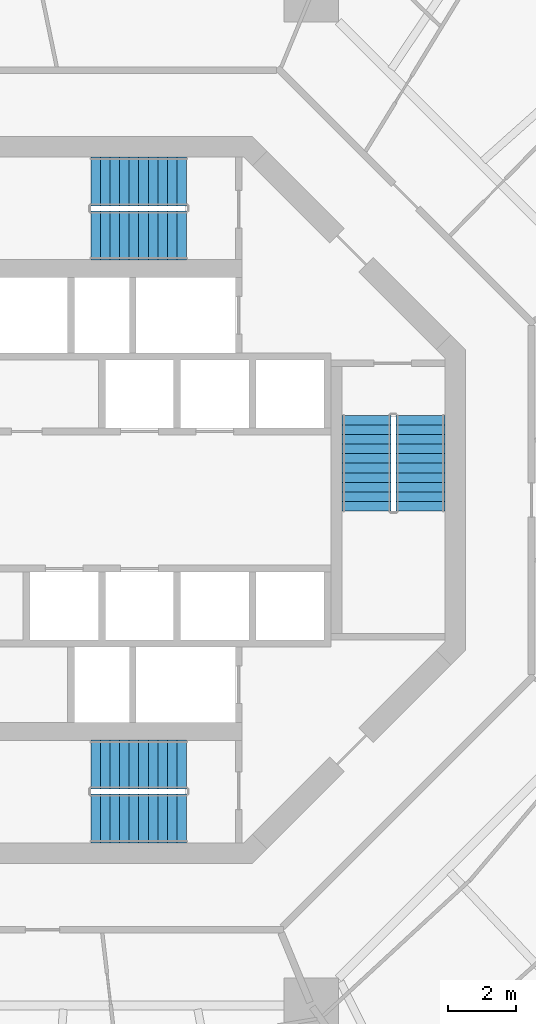
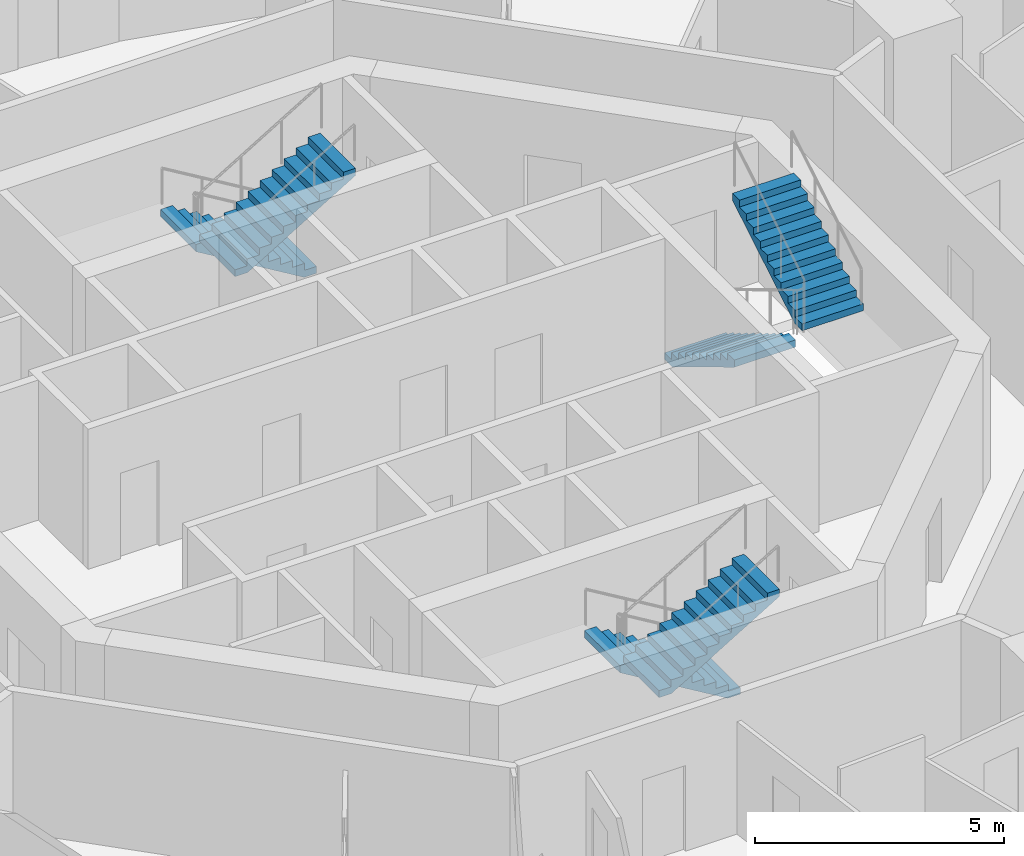
# One storey, part 15 of 18: 6 stair flights, 3 elements without a shape of their own.
"""IFC4 building model written with IfcOpenShell, lengths in metres."""

from ifc_helpers import new_model, si_unit, direction, frame, origin, place, context, subcontext, project, spatial, polyline, outline, extrude, material, type_object, element, aggregate, save


model = new_model("IFC4")

# Units and contexts
model_context = context("Model", 3, precision=1e-05, world=origin(), true_north=direction((0.0, 1.0)))
body_context = subcontext(model_context, "Body", "Model", "MODEL_VIEW")
ifc_project = project(units=[si_unit("LENGTHUNIT", "METRE"), si_unit("AREAUNIT", "SQUARE_METRE"), si_unit("VOLUMEUNIT", "CUBIC_METRE"), si_unit("PLANEANGLEUNIT", "RADIAN"), si_unit("MASSUNIT", "GRAM", prefix="KILO")], contexts=[model_context])

# Site, building, storey
site_placement = place(None, origin())
site = spatial("IfcSite", under=ifc_project, at=site_placement, CompositionType="ELEMENT")
building_placement = place(site_placement, origin())
building = spatial("IfcBuilding", under=site, at=building_placement, Name="Nagisa Residences", CompositionType="ELEMENT")
storey_placement = place(building_placement, frame((0.0, 0.0, 245.5)))
storey = spatial("IfcBuildingStorey", under=building, at=storey_placement, Name="L62", CompositionType="ELEMENT", Elevation=245.5)

# Stair, stair flights
ifc_material_1 = material(Name="Concrete C60", Category="concrete")
stair_type = type_object("IfcStairType", Name="Exit stair", PredefinedType="HALF_TURN_STAIR", material=ifc_material_1)
stair_1_placement = place(storey_placement, origin())
stair_1 = element("IfcStair", 1, at=stair_1_placement, inside=storey, type_object=stair_type, Name="L62 Exit stair E", PredefinedType="HALF_TURN_STAIR")
ifc_material_2 = material(Name="Concrete C60", Category="concrete")
stair_flight_type = type_object("IfcStairFlightType", Name="Exit stair flight", PredefinedType="STRAIGHT", material=ifc_material_2)
stair_flight_1_placement = place(storey_placement, frame((7.737060546875, 2.47509765625, 0.0), z_axis=(0.0, 0.0, 1.0), x_axis=(0.0, -1.0, 0.0)))
stair_flight_1 = element("IfcStairFlight", 2, at=stair_flight_1_placement, type_object=stair_flight_type, Name="ST-E flight 1", NumberOfRisers=11, NumberOfTreads=10, PredefinedType="STRAIGHT", RiserHeight=0.168181818, TreadLength=0.28, context=body_context, shape_type="SweptSolid", body=[
    extrude(outline(polyline([(0.0, 0.0), (0.0, 0.168212890625), (0.280029296875, 0.168212890625), (0.280029296875, 0.33642578125), (0.56005859375, 0.33642578125), (0.56005859375, 0.504638671875), (0.840087890625, 0.504638671875), (0.840087890625, 0.672607421875), (1.1201171875, 0.672607421875), (1.1201171875, 0.8408203125), (1.39990234375, 0.8408203125), (1.39990234375, 1.009033203125), (1.679931640625, 1.009033203125), (1.679931640625, 1.17724609375), (1.9599609375, 1.17724609375), (1.9599609375, 1.345458984375), (2.239990234375, 1.345458984375), (2.239990234375, 1.513671875), (2.52001953125, 1.513671875), (2.52001953125, 1.681884765625), (2.800048828125, 1.681884765625), (2.800048828125, 1.85009765625), (2.800048828125, 1.5068359375), (0.291015625, 0.0), (0.0, 0.0)])), frame((0.0, 0.71240234375, 0.0), z_axis=(0.0, -1.0, 0.0), x_axis=(1.0, 0.0, 0.0)), (0.0, 0.0, 1.0), 1.425048828125),
])
stair_flight_2_placement = place(storey_placement, frame((9.31201171875, -0.324951171875, 1.85009765625), z_axis=(0.0, 0.0, 1.0), x_axis=(0.0, 1.0, 0.0)))
stair_flight_2 = element("IfcStairFlight", 3, at=stair_flight_2_placement, type_object=stair_flight_type, Name="ST-E flight 2", NumberOfRisers=11, NumberOfTreads=10, PredefinedType="STRAIGHT", RiserHeight=0.168181818, TreadLength=0.28, context=body_context, shape_type="SweptSolid", body=[
    extrude(outline(polyline([(0.0, 0.0), (0.0, 0.168212890625), (0.280029296875, 0.168212890625), (0.280029296875, 0.33642578125), (0.56005859375, 0.33642578125), (0.56005859375, 0.504638671875), (0.840087890625, 0.504638671875), (0.840087890625, 0.672607421875), (1.1201171875, 0.672607421875), (1.1201171875, 0.8408203125), (1.39990234375, 0.8408203125), (1.39990234375, 1.009033203125), (1.679931640625, 1.009033203125), (1.679931640625, 1.17724609375), (1.9599609375, 1.17724609375), (1.9599609375, 1.345458984375), (2.239990234375, 1.345458984375), (2.239990234375, 1.513671875), (2.52001953125, 1.513671875), (2.52001953125, 1.681884765625), (2.800048828125, 1.681884765625), (2.800048828125, 1.85009765625), (2.800048828125, 1.5068359375), (0.291015625, 0.0), (0.0, 0.0)])), frame((0.0, 0.71240234375, 0.0), z_axis=(0.0, -1.0, 0.0), x_axis=(1.0, 0.0, 0.0)), (0.0, 0.0, 1.0), 1.425048828125),
])
aggregate(stair_1, [stair_flight_1, stair_flight_2])

stair_2_placement = place(storey_placement, origin())
stair_2 = element("IfcStair", 4, at=stair_2_placement, inside=storey, type_object=stair_type, Name="L62 Exit stair N", PredefinedType="HALF_TURN_STAIR")
stair_flight_3_placement = place(storey_placement, frame((2.47509765625, 9.31201171875, 0.0), z_axis=(0.0, 0.0, 1.0), x_axis=(-1.0, 0.0, 0.0)))
stair_flight_3 = element("IfcStairFlight", 5, at=stair_flight_3_placement, type_object=stair_flight_type, Name="ST-N flight 1", NumberOfRisers=11, NumberOfTreads=10, PredefinedType="STRAIGHT", RiserHeight=0.168181818, TreadLength=0.28, context=body_context, shape_type="SweptSolid", body=[
    extrude(outline(polyline([(0.0, 0.0), (0.0, 0.168212890625), (0.280029296875, 0.168212890625), (0.280029296875, 0.33642578125), (0.56005859375, 0.33642578125), (0.56005859375, 0.504638671875), (0.840087890625, 0.504638671875), (0.840087890625, 0.672607421875), (1.1201171875, 0.672607421875), (1.1201171875, 0.8408203125), (1.39990234375, 0.8408203125), (1.39990234375, 1.009033203125), (1.679931640625, 1.009033203125), (1.679931640625, 1.17724609375), (1.9599609375, 1.17724609375), (1.9599609375, 1.345458984375), (2.239990234375, 1.345458984375), (2.239990234375, 1.513671875), (2.52001953125, 1.513671875), (2.52001953125, 1.681884765625), (2.800048828125, 1.681884765625), (2.800048828125, 1.85009765625), (2.800048828125, 1.5068359375), (0.291015625, 0.0), (0.0, 0.0)])), frame((0.0, 0.71240234375, 0.0), z_axis=(0.0, -1.0, 0.0), x_axis=(1.0, 0.0, 0.0)), (0.0, 0.0, 1.0), 1.425048828125),
])
stair_flight_4_placement = place(storey_placement, frame((-0.324951171875, 7.737060546875, 1.85009765625), z_axis=(0.0, 0.0, 1.0), x_axis=(1.0, 0.0, 0.0)))
stair_flight_4 = element("IfcStairFlight", 6, at=stair_flight_4_placement, type_object=stair_flight_type, Name="ST-N flight 2", NumberOfRisers=11, NumberOfTreads=10, PredefinedType="STRAIGHT", RiserHeight=0.168181818, TreadLength=0.28, context=body_context, shape_type="SweptSolid", body=[
    extrude(outline(polyline([(0.0, 0.0), (0.0, 0.168212890625), (0.280029296875, 0.168212890625), (0.280029296875, 0.33642578125), (0.56005859375, 0.33642578125), (0.56005859375, 0.504638671875), (0.840087890625, 0.504638671875), (0.840087890625, 0.672607421875), (1.1201171875, 0.672607421875), (1.1201171875, 0.8408203125), (1.39990234375, 0.8408203125), (1.39990234375, 1.009033203125), (1.679931640625, 1.009033203125), (1.679931640625, 1.17724609375), (1.9599609375, 1.17724609375), (1.9599609375, 1.345458984375), (2.239990234375, 1.345458984375), (2.239990234375, 1.513671875), (2.52001953125, 1.513671875), (2.52001953125, 1.681884765625), (2.800048828125, 1.681884765625), (2.800048828125, 1.85009765625), (2.800048828125, 1.5068359375), (0.291015625, 0.0), (0.0, 0.0)])), frame((0.0, 0.71240234375, 0.0), z_axis=(0.0, -1.0, 0.0), x_axis=(1.0, 0.0, 0.0)), (0.0, 0.0, 1.0), 1.425048828125),
])
aggregate(stair_2, [stair_flight_3, stair_flight_4])

stair_3_placement = place(storey_placement, origin())
stair_3 = element("IfcStair", 7, at=stair_3_placement, inside=storey, type_object=stair_type, Name="L62 Exit stair S", PredefinedType="HALF_TURN_STAIR")
stair_flight_5_placement = place(storey_placement, frame((2.47509765625, -7.737060546875, 0.0), z_axis=(0.0, 0.0, 1.0), x_axis=(-1.0, 0.0, 0.0)))
stair_flight_5 = element("IfcStairFlight", 8, at=stair_flight_5_placement, type_object=stair_flight_type, Name="ST-S flight 1", NumberOfRisers=11, NumberOfTreads=10, PredefinedType="STRAIGHT", RiserHeight=0.168181818, TreadLength=0.28, context=body_context, shape_type="SweptSolid", body=[
    extrude(outline(polyline([(0.0, 0.0), (0.0, 0.168212890625), (0.280029296875, 0.168212890625), (0.280029296875, 0.33642578125), (0.56005859375, 0.33642578125), (0.56005859375, 0.504638671875), (0.840087890625, 0.504638671875), (0.840087890625, 0.672607421875), (1.1201171875, 0.672607421875), (1.1201171875, 0.8408203125), (1.39990234375, 0.8408203125), (1.39990234375, 1.009033203125), (1.679931640625, 1.009033203125), (1.679931640625, 1.17724609375), (1.9599609375, 1.17724609375), (1.9599609375, 1.345458984375), (2.239990234375, 1.345458984375), (2.239990234375, 1.513671875), (2.52001953125, 1.513671875), (2.52001953125, 1.681884765625), (2.800048828125, 1.681884765625), (2.800048828125, 1.85009765625), (2.800048828125, 1.5068359375), (0.291015625, 0.0), (0.0, 0.0)])), frame((0.0, 0.71240234375, 0.0), z_axis=(0.0, -1.0, 0.0), x_axis=(1.0, 0.0, 0.0)), (0.0, 0.0, 1.0), 1.425048828125),
])
stair_flight_6_placement = place(storey_placement, frame((-0.324951171875, -9.31201171875, 1.85009765625), z_axis=(0.0, 0.0, 1.0), x_axis=(1.0, 0.0, 0.0)))
stair_flight_6 = element("IfcStairFlight", 9, at=stair_flight_6_placement, type_object=stair_flight_type, Name="ST-S flight 2", NumberOfRisers=11, NumberOfTreads=10, PredefinedType="STRAIGHT", RiserHeight=0.168181818, TreadLength=0.28, context=body_context, shape_type="SweptSolid", body=[
    extrude(outline(polyline([(0.0, 0.0), (0.0, 0.168212890625), (0.280029296875, 0.168212890625), (0.280029296875, 0.33642578125), (0.56005859375, 0.33642578125), (0.56005859375, 0.504638671875), (0.840087890625, 0.504638671875), (0.840087890625, 0.672607421875), (1.1201171875, 0.672607421875), (1.1201171875, 0.8408203125), (1.39990234375, 0.8408203125), (1.39990234375, 1.009033203125), (1.679931640625, 1.009033203125), (1.679931640625, 1.17724609375), (1.9599609375, 1.17724609375), (1.9599609375, 1.345458984375), (2.239990234375, 1.345458984375), (2.239990234375, 1.513671875), (2.52001953125, 1.513671875), (2.52001953125, 1.681884765625), (2.800048828125, 1.681884765625), (2.800048828125, 1.85009765625), (2.800048828125, 1.5068359375), (0.291015625, 0.0), (0.0, 0.0)])), frame((0.0, 0.71240234375, 0.0), z_axis=(0.0, -1.0, 0.0), x_axis=(1.0, 0.0, 0.0)), (0.0, 0.0, 1.0), 1.425048828125),
])
aggregate(stair_3, [stair_flight_5, stair_flight_6])

save(model, "model.ifc")
